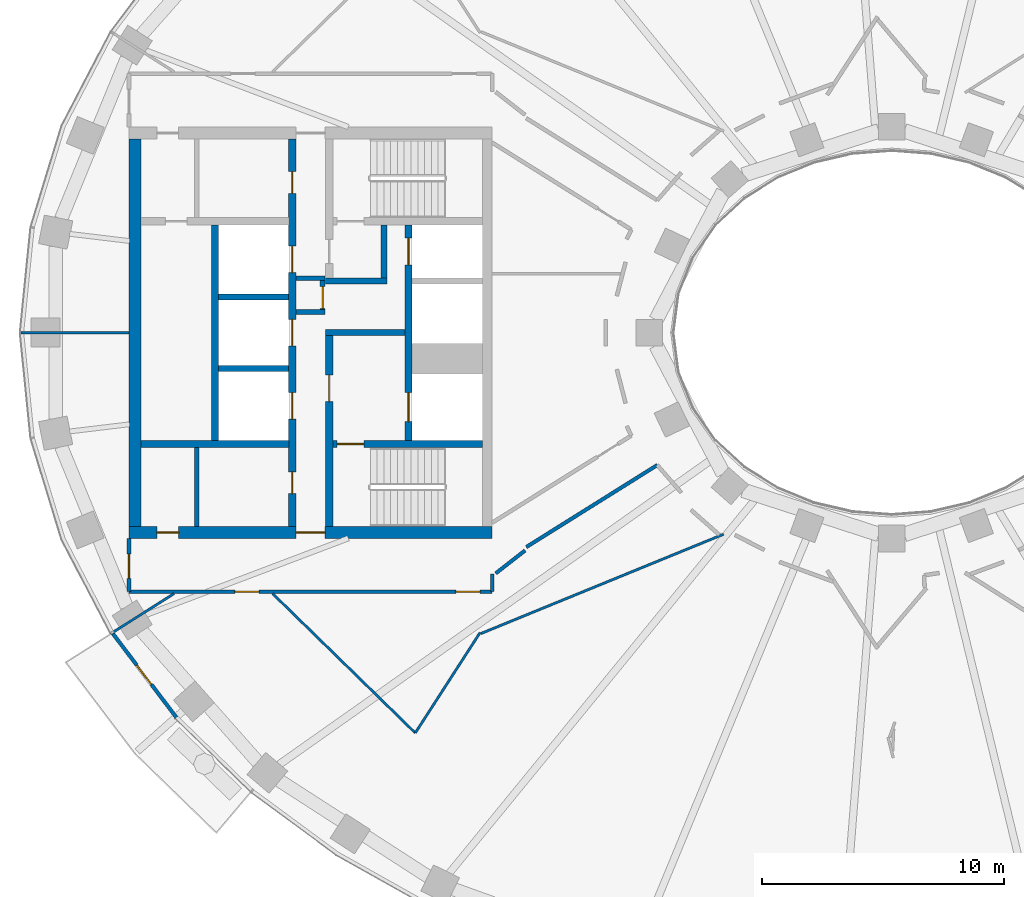
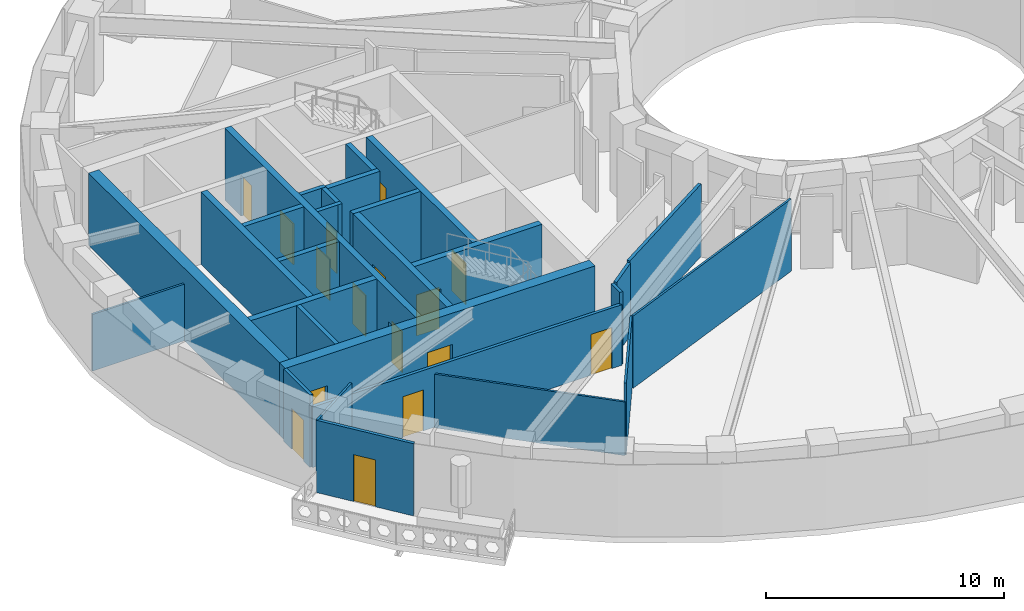
# One storey, part 3 of 16: 28 walls, 16 doors, 16 openings.
"""IFC4 building model written with IfcOpenShell, lengths in metres."""

from ifc_helpers import new_model, si_unit, direction, frame, frame_2d, origin, place, context, subcontext, project, spatial, rectangle, extrude, material, layer, layer_set, type_object, element, fill, save


model = new_model("IFC4")

# Units and contexts
model_context = context("Model", 3, precision=1e-05, world=origin(), true_north=direction((0.0, 1.0)))
body_context = subcontext(model_context, "Body", "Model", "MODEL_VIEW")
ifc_project = project(units=[si_unit("LENGTHUNIT", "METRE"), si_unit("AREAUNIT", "SQUARE_METRE"), si_unit("VOLUMEUNIT", "CUBIC_METRE"), si_unit("PLANEANGLEUNIT", "RADIAN"), si_unit("MASSUNIT", "GRAM", prefix="KILO")], contexts=[model_context])

# Site, building, storey
site_placement = place(None, origin())
site = spatial("IfcSite", under=ifc_project, at=site_placement, CompositionType="ELEMENT")
building_placement = place(site_placement, origin())
building = spatial("IfcBuilding", under=site, at=building_placement, Name="Noorbagh Ring Tower", CompositionType="ELEMENT")
storey_placement = place(building_placement, frame((0.0, 0.0, 162.0)))
storey = spatial("IfcBuildingStorey", under=building, at=storey_placement, Name="L37", CompositionType="ELEMENT", Elevation=162.0)

# Walls
ifc_material_1 = material(Name="Gypsum board on steel studs", Category="steel")
ifc_layer_1 = layer(ifc_material_1, 0.199951171875)
ifc_layer_set_1 = layer_set([ifc_layer_1], Name="Gypsum board on steel studs")
wall_type_1 = type_object("IfcWallType", Name="CORE-PARTITION-200", PredefinedType="PARTITIONING", material=ifc_layer_set_1)
for number, where, z_axis, x_axis, name in (
    (1, (-23.39990234375, 0.85009765625, 0.0), (0.0, 0.0, 1.0), (-1.0, 0.0, 0.0), "Core partition W"),
    (2, (-23.39990234375, 2.25, 0.0), (0.0, 0.0, 1.0), (-1.0, 0.0, 0.0), "Core partition W"),
):
    element("IfcWall", number, at=place(storey_placement, frame(where, z_axis=z_axis, x_axis=x_axis)), inside=storey, type_object=wall_type_1, Name=name, PredefinedType="PARTITIONING", context=body_context, shape_type="SweptSolid", body=[
        extrude(rectangle(XDim=1.2001953125, YDim=0.199951171875, at=frame_2d((0.60009765625, 0.0))), origin(), (0.0, 0.0, 1.0), 3.699951171875),
    ])

# Wall, opening, door
wall_1_placement = place(storey_placement, frame((-23.5, 0.75, 0.0), z_axis=(0.0, 0.0, 1.0), x_axis=(0.0, 1.0, 0.0)))
wall_1 = element("IfcWall", 3, at=wall_1_placement, inside=storey, type_object=wall_type_1, Name="Core partition W", PredefinedType="PARTITIONING", context=body_context, shape_type="SweptSolid", body=[
    extrude(rectangle(XDim=1.60009765625, YDim=0.199951171875, at=frame_2d((0.800048828125, 0.0))), origin(), (0.0, 0.0, 1.0), 3.699951171875),
])
opening_1_placement = place(wall_1_placement, frame((0.25, 0.0, 0.0)))
opening_1 = element("IfcOpeningElement", 4, at=opening_1_placement, cuts=wall_1, Name="Opening L37-CW16", PredefinedType="OPENING", context=body_context, shape_type="SweptSolid", body=[
    extrude(rectangle(XDim=0.89990234375, YDim=2.10009765625, at=frame_2d((0.449951171875, 1.050048828125))), frame((0.0, 0.10986328125, 0.0), z_axis=(0.0, -1.0, 0.0), x_axis=(1.0, 0.0, 0.0)), (0.0, 0.0, 1.0), 0.219970703125),
])
ifc_material_2 = material(Name="Steel door leaf", Category="steel")
door_type_1 = type_object("IfcDoorType", Name="CORE-DOOR-DROOM", OperationType="SINGLE_SWING_LEFT", PredefinedType="DOOR", material=ifc_material_2)
door_1_placement = place(opening_1_placement, origin())
door_1 = element("IfcDoor", 5, at=door_1_placement, inside=storey, type_object=door_type_1, Name="Core room door L37-CW16", OperationType="SINGLE_SWING_RIGHT", OverallHeight=2.10009765625, OverallWidth=0.89990234375, PredefinedType="DOOR", context=body_context, shape_type="SweptSolid", body=[
    extrude(rectangle(XDim=0.89990234375, YDim=2.10009765625, at=frame_2d((0.449951171875, 1.050048828125))), frame((0.0, 0.02490234375, 0.0), z_axis=(0.0, -1.0, 0.0), x_axis=(1.0, 0.0, 0.0)), (0.0, 0.0, 1.0), 0.050048828125),
])
fill(opening_1, door_1)

# Walls
wall_2_placement = place(storey_placement, frame((-28.699951171875, -8.0, 0.0), z_axis=(0.0, 0.0, 1.0), x_axis=(0.0, 1.0, 0.0)))
element("IfcWall", 6, at=wall_2_placement, inside=storey, type_object=wall_type_1, Name="Core partition W", PredefinedType="PARTITIONING", context=body_context, shape_type="SweptSolid", body=[
    extrude(rectangle(XDim=3.25, YDim=0.199951171875, at=frame_2d((1.625, 0.0))), origin(), (0.0, 0.0, 1.0), 3.699951171875),
])
ifc_material_3 = material(Name="Concrete C60/75", Category="concrete")
ifc_layer_2 = layer(ifc_material_3, 0.25)
ifc_layer_set_2 = layer_set([ifc_layer_2], Name="Concrete C60/75")
wall_type_2 = type_object("IfcWallType", Name="CORE-WALL-250-C60-75-EI120", PredefinedType="SHEAR", material=ifc_layer_set_2)
for number, where, z_axis, x_axis, name in (
    (7, (-24.89990234375, -1.47509765625, 0.0), (0.0, 0.0, 1.0), (-1.0, 0.0, 0.0), "Core wall W"),
    (8, (-24.89990234375, 1.47509765625, 0.0), (0.0, 0.0, 1.0), (-1.0, 0.0, 0.0), "Core wall W"),
):
    element("IfcWall", number, at=place(storey_placement, frame(where, z_axis=z_axis, x_axis=x_axis)), inside=storey, type_object=wall_type_2, Name=name, PredefinedType="SHEAR", context=body_context, shape_type="SweptSolid", body=[
        extrude(rectangle(XDim=2.900146484375, YDim=0.25, at=frame_2d((1.4501953125, 0.0))), origin(), (0.0, 0.0, 1.0), 3.699951171875),
    ])
ifc_material_4 = material(Name="Concrete C60/75", Category="concrete")
ifc_layer_3 = layer(ifc_material_4, 0.25)
ifc_layer_set_3 = layer_set([ifc_layer_3], Name="Concrete C60/75")
wall_type_3 = type_object("IfcWallType", Name="CORE-WALL-250-C60-75-EI240", PredefinedType="SHEAR", material=ifc_layer_set_3)
wall_3_placement = place(storey_placement, frame((-20.10009765625, 0.0, 0.0), z_axis=(0.0, 0.0, 1.0), x_axis=(-1.0, 0.0, 0.0)))
element("IfcWall", 9, at=wall_3_placement, inside=storey, type_object=wall_type_3, Name="Core wall W", PredefinedType="SHEAR", context=body_context, shape_type="SweptSolid", body=[
    extrude(rectangle(XDim=3.27978515625, YDim=0.25, at=frame_2d((1.639892578125, 0.0))), origin(), (0.0, 0.0, 1.0), 3.699951171875),
])
wall_4_placement = place(storey_placement, frame((-20.85009765625, 2.125, 0.0), z_axis=(0.0, 0.0, 1.0), x_axis=(-1.0, 0.0, 0.0)))
element("IfcWall", 10, at=wall_4_placement, inside=storey, type_object=wall_type_3, Name="Core wall W", PredefinedType="SHEAR", context=body_context, shape_type="SweptSolid", body=[
    extrude(rectangle(XDim=2.52978515625, YDim=0.25, at=frame_2d((1.264892578125, 0.0))), origin(), (0.0, 0.0, 1.0), 3.699951171875),
])
wall_5_placement = place(storey_placement, frame((-20.97509765625, 2.25, 0.0), z_axis=(0.0, 0.0, 1.0), x_axis=(0.0, 1.0, 0.0)))
element("IfcWall", 11, at=wall_5_placement, inside=storey, type_object=wall_type_3, Name="Core wall W", PredefinedType="SHEAR", context=body_context, shape_type="SweptSolid", body=[
    extrude(rectangle(XDim=2.199951171875, YDim=0.25, at=frame_2d((1.10009765625, 0.0))), origin(), (0.0, 0.0, 1.0), 3.699951171875),
])
ifc_material_5 = material(Name="Concrete C60/75", Category="concrete")
ifc_layer_4 = layer(ifc_material_5, 0.300048828125)
ifc_layer_set_4 = layer_set([ifc_layer_4], Name="Concrete C60/75")
wall_type_4 = type_object("IfcWallType", Name="CORE-WALL-300-C60-75-EI120", PredefinedType="SHEAR", material=ifc_layer_set_4)
wall_6_placement = place(storey_placement, frame((-27.949951171875, -4.449951171875, 0.0), z_axis=(0.0, 0.0, 1.0), x_axis=(0.0, 1.0, 0.0)))
element("IfcWall", 12, at=wall_6_placement, inside=storey, type_object=wall_type_4, Name="Core wall W", PredefinedType="SHEAR", context=body_context, shape_type="SweptSolid", body=[
    extrude(rectangle(XDim=8.89990234375, YDim=0.300048828125, at=frame_2d((4.449951171875, 0.0))), origin(), (0.0, 0.0, 1.0), 3.699951171875),
])

# Wall, openings, doors
wall_7_placement = place(storey_placement, frame((-19.949951171875, -4.449951171875, 0.0), z_axis=(0.0, 0.0, 1.0), x_axis=(0.0, 1.0, 0.0)))
wall_7 = element("IfcWall", 13, at=wall_7_placement, inside=storey, type_object=wall_type_4, Name="Core wall W", PredefinedType="SHEAR", context=body_context, shape_type="SweptSolid", body=[
    extrude(rectangle(XDim=8.89990234375, YDim=0.300048828125, at=frame_2d((4.449951171875, 0.0))), origin(), (0.0, 0.0, 1.0), 3.699951171875),
])
opening_2_placement = place(wall_7_placement, frame((0.77490234375, 0.0, 0.0)))
opening_2 = element("IfcOpeningElement", 14, at=opening_2_placement, cuts=wall_7, Name="Opening L37-CW01", PredefinedType="OPENING", context=body_context, shape_type="SweptSolid", body=[
    extrude(rectangle(XDim=1.199951171875, YDim=2.10009765625, at=frame_2d((0.60009765625, 1.050048828125))), frame((0.0, 0.16015625, 0.0), z_axis=(0.0, -1.0, 0.0), x_axis=(1.0, 0.0, 0.0)), (0.0, 0.0, 1.0), 0.320068359375),
])
opening_3_placement = place(wall_7_placement, frame((7.25, 0.0, 0.0)))
opening_3 = element("IfcOpeningElement", 15, at=opening_3_placement, cuts=wall_7, Name="Opening L37-CW02", PredefinedType="OPENING", context=body_context, shape_type="SweptSolid", body=[
    extrude(rectangle(XDim=1.10009765625, YDim=2.10009765625, at=frame_2d((0.550048828125, 1.050048828125))), frame((0.0, 0.16015625, 0.0), z_axis=(0.0, -1.0, 0.0), x_axis=(1.0, 0.0, 0.0)), (0.0, 0.0, 1.0), 0.320068359375),
])
ifc_material_6 = material(Name="Steel door leaf", Category="steel")
door_type_2 = type_object("IfcDoorType", Name="CORE-DOOR-LD", OperationType="DOUBLE_DOOR_SLIDING", PredefinedType="DOOR", material=ifc_material_6)
door_2_placement = place(opening_3_placement, origin())
door_2 = element("IfcDoor", 16, at=door_2_placement, inside=storey, type_object=door_type_2, Name="Landing door HR1 L37-CW02", OperationType="DOUBLE_DOOR_SLIDING", OverallHeight=2.10009765625, OverallWidth=1.10009765625, PredefinedType="DOOR", context=body_context, shape_type="SweptSolid", body=[
    extrude(rectangle(XDim=1.10009765625, YDim=2.10009765625, at=frame_2d((0.550048828125, 1.050048828125))), frame((0.0, 0.02490234375, 0.0), z_axis=(0.0, -1.0, 0.0), x_axis=(1.0, 0.0, 0.0)), (0.0, 0.0, 1.0), 0.050048828125),
])
fill(opening_3, door_2)
ifc_material_7 = material(Name="Steel door leaf", Category="steel")
door_type_3 = type_object("IfcDoorType", Name="CORE-DOOR-LDW", OperationType="DOUBLE_DOOR_SLIDING", PredefinedType="DOOR", material=ifc_material_7)
door_3_placement = place(opening_2_placement, origin())
door_3 = element("IfcDoor", 17, at=door_3_placement, inside=storey, type_object=door_type_3, Name="Landing door FF1 L37-CW01", OperationType="DOUBLE_DOOR_SLIDING", OverallHeight=2.10009765625, OverallWidth=1.199951171875, PredefinedType="DOOR", context=body_context, shape_type="SweptSolid", body=[
    extrude(rectangle(XDim=1.199951171875, YDim=2.10009765625, at=frame_2d((0.60009765625, 1.050048828125))), frame((0.0, 0.02490234375, 0.0), z_axis=(0.0, -1.0, 0.0), x_axis=(1.0, 0.0, 0.0)), (0.0, 0.0, 1.0), 0.050048828125),
])
fill(opening_2, door_3)

wall_8_placement = place(storey_placement, frame((-24.75, -8.0, 0.0), z_axis=(0.0, 0.0, 1.0), x_axis=(0.0, 1.0, 0.0)))
wall_8 = element("IfcWall", 18, at=wall_8_placement, inside=storey, type_object=wall_type_4, Name="Core wall W", PredefinedType="SHEAR", context=body_context, shape_type="SweptSolid", body=[
    extrude(rectangle(XDim=16.0, YDim=0.300048828125, at=frame_2d((8.0, 0.0))), origin(), (0.0, 0.0, 1.0), 3.699951171875),
])
opening_4_placement = place(wall_8_placement, frame((4.425048828125, 0.0, 0.0)))
opening_4 = element("IfcOpeningElement", 19, at=opening_4_placement, cuts=wall_8, Name="Opening L37-CW03", PredefinedType="OPENING", context=body_context, shape_type="SweptSolid", body=[
    extrude(rectangle(XDim=1.10009765625, YDim=2.10009765625, at=frame_2d((0.550048828125, 1.050048828125))), frame((0.0, 0.16015625, 0.0), z_axis=(0.0, -1.0, 0.0), x_axis=(1.0, 0.0, 0.0)), (0.0, 0.0, 1.0), 0.320068359375),
])
opening_5_placement = place(wall_8_placement, frame((7.449951171875, 0.0, 0.0)))
opening_5 = element("IfcOpeningElement", 20, at=opening_5_placement, cuts=wall_8, Name="Opening L37-CW04", PredefinedType="OPENING", context=body_context, shape_type="SweptSolid", body=[
    extrude(rectangle(XDim=1.10009765625, YDim=2.10009765625, at=frame_2d((0.550048828125, 1.050048828125))), frame((0.0, 0.16015625, 0.0), z_axis=(0.0, -1.0, 0.0), x_axis=(1.0, 0.0, 0.0)), (0.0, 0.0, 1.0), 0.320068359375),
])
opening_6_placement = place(wall_8_placement, frame((10.47509765625, 0.0, 0.0)))
opening_6 = element("IfcOpeningElement", 21, at=opening_6_placement, cuts=wall_8, Name="Opening L37-CW05", PredefinedType="OPENING", context=body_context, shape_type="SweptSolid", body=[
    extrude(rectangle(XDim=1.10009765625, YDim=2.10009765625, at=frame_2d((0.550048828125, 1.050048828125))), frame((0.0, 0.16015625, 0.0), z_axis=(0.0, -1.0, 0.0), x_axis=(1.0, 0.0, 0.0)), (0.0, 0.0, 1.0), 0.320068359375),
])
opening_7_placement = place(wall_8_placement, frame((13.75, 0.0, 0.0)))
opening_7 = element("IfcOpeningElement", 22, at=opening_7_placement, cuts=wall_8, Name="Opening L37-CW12", PredefinedType="OPENING", context=body_context, shape_type="SweptSolid", body=[
    extrude(rectangle(XDim=0.89990234375, YDim=2.10009765625, at=frame_2d((0.449951171875, 1.050048828125))), frame((0.0, 0.16015625, 0.0), z_axis=(0.0, -1.0, 0.0), x_axis=(1.0, 0.0, 0.0)), (0.0, 0.0, 1.0), 0.320068359375),
])
opening_8_placement = place(wall_8_placement, frame((1.35009765625, 0.0, 0.0)))
opening_8 = element("IfcOpeningElement", 23, at=opening_8_placement, cuts=wall_8, Name="Opening L37-CW14", PredefinedType="OPENING", context=body_context, shape_type="SweptSolid", body=[
    extrude(rectangle(XDim=0.89990234375, YDim=2.10009765625, at=frame_2d((0.449951171875, 1.050048828125))), frame((0.0, 0.16015625, 0.0), z_axis=(0.0, -1.0, 0.0), x_axis=(1.0, 0.0, 0.0)), (0.0, 0.0, 1.0), 0.320068359375),
])
door_4_placement = place(opening_7_placement, origin())
door_4 = element("IfcDoor", 24, at=door_4_placement, inside=storey, type_object=door_type_1, Name="Core room door L37-CW12", OperationType="SINGLE_SWING_RIGHT", OverallHeight=2.10009765625, OverallWidth=0.89990234375, PredefinedType="DOOR", context=body_context, shape_type="SweptSolid", body=[
    extrude(rectangle(XDim=0.89990234375, YDim=2.10009765625, at=frame_2d((0.449951171875, 1.050048828125))), frame((0.0, 0.02490234375, 0.0), z_axis=(0.0, -1.0, 0.0), x_axis=(1.0, 0.0, 0.0)), (0.0, 0.0, 1.0), 0.050048828125),
])
fill(opening_7, door_4)
door_5_placement = place(opening_8_placement, origin())
door_5 = element("IfcDoor", 25, at=door_5_placement, inside=storey, type_object=door_type_1, Name="Core room door L37-CW14", OperationType="SINGLE_SWING_LEFT", OverallHeight=2.10009765625, OverallWidth=0.89990234375, PredefinedType="DOOR", context=body_context, shape_type="SweptSolid", body=[
    extrude(rectangle(XDim=0.89990234375, YDim=2.10009765625, at=frame_2d((0.449951171875, 1.050048828125))), frame((0.0, 0.02490234375, 0.0), z_axis=(0.0, -1.0, 0.0), x_axis=(1.0, 0.0, 0.0)), (0.0, 0.0, 1.0), 0.050048828125),
])
fill(opening_8, door_5)
door_6_placement = place(opening_4_placement, origin())
door_6 = element("IfcDoor", 26, at=door_6_placement, inside=storey, type_object=door_type_2, Name="Landing door HR2 L37-CW03", OperationType="DOUBLE_DOOR_SLIDING", OverallHeight=2.10009765625, OverallWidth=1.10009765625, PredefinedType="DOOR", context=body_context, shape_type="SweptSolid", body=[
    extrude(rectangle(XDim=1.10009765625, YDim=2.10009765625, at=frame_2d((0.550048828125, 1.050048828125))), frame((0.0, 0.02490234375, 0.0), z_axis=(0.0, -1.0, 0.0), x_axis=(1.0, 0.0, 0.0)), (0.0, 0.0, 1.0), 0.050048828125),
])
fill(opening_4, door_6)
door_7_placement = place(opening_5_placement, origin())
door_7 = element("IfcDoor", 27, at=door_7_placement, inside=storey, type_object=door_type_2, Name="Landing door HR3 L37-CW04", OperationType="DOUBLE_DOOR_SLIDING", OverallHeight=2.10009765625, OverallWidth=1.10009765625, PredefinedType="DOOR", context=body_context, shape_type="SweptSolid", body=[
    extrude(rectangle(XDim=1.10009765625, YDim=2.10009765625, at=frame_2d((0.550048828125, 1.050048828125))), frame((0.0, 0.02490234375, 0.0), z_axis=(0.0, -1.0, 0.0), x_axis=(1.0, 0.0, 0.0)), (0.0, 0.0, 1.0), 0.050048828125),
])
fill(opening_5, door_7)
door_8_placement = place(opening_6_placement, origin())
door_8 = element("IfcDoor", 28, at=door_8_placement, inside=storey, type_object=door_type_2, Name="Landing door HR4 L37-CW05", OperationType="DOUBLE_DOOR_SLIDING", OverallHeight=2.10009765625, OverallWidth=1.10009765625, PredefinedType="DOOR", context=body_context, shape_type="SweptSolid", body=[
    extrude(rectangle(XDim=1.10009765625, YDim=2.10009765625, at=frame_2d((0.550048828125, 1.050048828125))), frame((0.0, 0.02490234375, 0.0), z_axis=(0.0, -1.0, 0.0), x_axis=(1.0, 0.0, 0.0)), (0.0, 0.0, 1.0), 0.050048828125),
])
fill(opening_6, door_8)

# Wall
ifc_material_8 = material(Name="Concrete C60/75", Category="concrete")
ifc_layer_5 = layer(ifc_material_8, 0.300048828125)
ifc_layer_set_5 = layer_set([ifc_layer_5], Name="Concrete C60/75")
wall_type_5 = type_object("IfcWallType", Name="CORE-WALL-300-C60-75-EI240", PredefinedType="SHEAR", material=ifc_layer_set_5)
wall_9_placement = place(storey_placement, frame((-24.89990234375, -4.60009765625, 0.0), z_axis=(0.0, 0.0, 1.0), x_axis=(-1.0, 0.0, 0.0)))
element("IfcWall", 29, at=wall_9_placement, inside=storey, type_object=wall_type_5, Name="Core wall W", PredefinedType="SHEAR", context=body_context, shape_type="SweptSolid", body=[
    extrude(rectangle(XDim=6.10009765625, YDim=0.300048828125, at=frame_2d((3.050048828125, 0.0))), origin(), (0.0, 0.0, 1.0), 3.699951171875),
])

# Wall, opening, door
wall_10_placement = place(storey_placement, frame((-23.22998046875, -8.0, 0.0), z_axis=(0.0, 0.0, 1.0), x_axis=(0.0, 1.0, 0.0)))
wall_10 = element("IfcWall", 30, at=wall_10_placement, inside=storey, type_object=wall_type_5, Name="Core wall W", PredefinedType="SHEAR", context=body_context, shape_type="SweptSolid", body=[
    extrude(rectangle(XDim=7.875, YDim=0.300048828125, at=frame_2d((3.9375, 0.0))), origin(), (0.0, 0.0, 1.0), 3.699951171875),
])
opening_9_placement = place(wall_10_placement, frame((5.14990234375, 0.0, 0.0)))
opening_9 = element("IfcOpeningElement", 31, at=opening_9_placement, cuts=wall_10, Name="Opening L37-CW08", PredefinedType="OPENING", context=body_context, shape_type="SweptSolid", body=[
    extrude(rectangle(XDim=1.10009765625, YDim=2.10009765625, at=frame_2d((0.550048828125, 1.050048828125))), frame((0.0, 0.16015625, 0.0), z_axis=(0.0, -1.0, 0.0), x_axis=(1.0, 0.0, 0.0)), (0.0, 0.0, 1.0), 0.320068359375),
])
ifc_material_9 = material(Name="Steel door leaf", Category="steel")
door_type_4 = type_object("IfcDoorType", Name="CORE-DOOR-DFF", OperationType="SINGLE_SWING_LEFT", PredefinedType="DOOR", material=ifc_material_9)
door_9_placement = place(opening_9_placement, origin())
door_9 = element("IfcDoor", 32, at=door_9_placement, inside=storey, type_object=door_type_4, Name="Firefighting lobby door L37-CW08", OperationType="SINGLE_SWING_LEFT", OverallHeight=2.10009765625, OverallWidth=1.10009765625, PredefinedType="DOOR", context=body_context, shape_type="SweptSolid", body=[
    extrude(rectangle(XDim=1.10009765625, YDim=2.10009765625, at=frame_2d((0.550048828125, 1.050048828125))), frame((0.0, 0.02490234375, 0.0), z_axis=(0.0, -1.0, 0.0), x_axis=(1.0, 0.0, 0.0)), (0.0, 0.0, 1.0), 0.050048828125),
])
fill(opening_9, door_9)

wall_11_placement = place(storey_placement, frame((-16.89990234375, -4.60009765625, 0.0), z_axis=(0.0, 0.0, 1.0), x_axis=(-1.0, 0.0, 0.0)))
wall_11 = element("IfcWall", 33, at=wall_11_placement, inside=storey, type_object=wall_type_5, Name="Core wall W", PredefinedType="SHEAR", context=body_context, shape_type="SweptSolid", body=[
    extrude(rectangle(XDim=6.18017578125, YDim=0.300048828125, at=frame_2d((3.090087890625, 0.0))), origin(), (0.0, 0.0, 1.0), 3.699951171875),
])
opening_10_placement = place(wall_11_placement, frame((4.89990234375, 0.0, 0.0)))
opening_10 = element("IfcOpeningElement", 34, at=opening_10_placement, cuts=wall_11, Name="Opening L37-CW07", PredefinedType="OPENING", context=body_context, shape_type="SweptSolid", body=[
    extrude(rectangle(XDim=1.10009765625, YDim=2.10009765625, at=frame_2d((0.550048828125, 1.050048828125))), frame((0.0, 0.16015625, 0.0), z_axis=(0.0, -1.0, 0.0), x_axis=(1.0, 0.0, 0.0)), (0.0, 0.0, 1.0), 0.320068359375),
])
ifc_material_10 = material(Name="Steel door leaf", Category="steel")
door_type_5 = type_object("IfcDoorType", Name="CORE-DOOR-DSTAIR", OperationType="SINGLE_SWING_LEFT", PredefinedType="DOOR", material=ifc_material_10)
door_10_placement = place(opening_10_placement, origin())
door_10 = element("IfcDoor", 35, at=door_10_placement, inside=storey, type_object=door_type_5, Name="Stair door ST2 L37-CW07", OperationType="SINGLE_SWING_LEFT", OverallHeight=2.10009765625, OverallWidth=1.10009765625, PredefinedType="DOOR", context=body_context, shape_type="SweptSolid", body=[
    extrude(rectangle(XDim=1.10009765625, YDim=2.10009765625, at=frame_2d((0.550048828125, 1.050048828125))), frame((0.0, 0.02490234375, 0.0), z_axis=(0.0, -1.0, 0.0), x_axis=(1.0, 0.0, 0.0)), (0.0, 0.0, 1.0), 0.050048828125),
])
fill(opening_10, door_10)

# Wall, openings, doors
ifc_material_11 = material(Name="Concrete C60/75", Category="concrete")
ifc_layer_6 = layer(ifc_material_11, 0.5)
ifc_layer_set_6 = layer_set([ifc_layer_6], Name="Concrete C60/75")
wall_type_6 = type_object("IfcWallType", Name="CORE-WALL-500-C60-75-EI240", PredefinedType="SHEAR", material=ifc_layer_set_6)
wall_12_placement = place(storey_placement, frame((-16.5, -8.25, 0.0), z_axis=(0.0, 0.0, 1.0), x_axis=(-1.0, 0.0, 0.0)))
wall_12 = element("IfcWall", 36, at=wall_12_placement, inside=storey, type_object=wall_type_6, Name="Core wall W", PredefinedType="SHEAR", context=body_context, shape_type="SweptSolid", body=[
    extrude(rectangle(XDim=15.0, YDim=0.5, at=frame_2d((7.5, 0.0))), origin(), (0.0, 0.0, 1.0), 3.699951171875),
])
opening_11_placement = place(wall_12_placement, frame((6.89990234375, 0.0, 0.0)))
opening_11 = element("IfcOpeningElement", 37, at=opening_11_placement, cuts=wall_12, Name="Opening L37-CW11", PredefinedType="OPENING", context=body_context, shape_type="SweptSolid", body=[
    extrude(rectangle(XDim=1.199951171875, YDim=2.10009765625, at=frame_2d((0.60009765625, 1.050048828125))), frame((0.0, 0.260009765625, 0.0), z_axis=(0.0, -1.0, 0.0), x_axis=(1.0, 0.0, 0.0)), (0.0, 0.0, 1.0), 0.52001953125),
])
opening_12_placement = place(wall_12_placement, frame((12.949951171875, 0.0, 0.0)))
opening_12 = element("IfcOpeningElement", 38, at=opening_12_placement, cuts=wall_12, Name="Opening L37-CW15", PredefinedType="OPENING", context=body_context, shape_type="SweptSolid", body=[
    extrude(rectangle(XDim=0.89990234375, YDim=2.10009765625, at=frame_2d((0.449951171875, 1.050048828125))), frame((0.0, 0.260009765625, 0.0), z_axis=(0.0, -1.0, 0.0), x_axis=(1.0, 0.0, 0.0)), (0.0, 0.0, 1.0), 0.52001953125),
])
door_11_placement = place(opening_12_placement, origin())
door_11 = element("IfcDoor", 39, at=door_11_placement, inside=storey, type_object=door_type_1, Name="Core room door L37-CW15", OperationType="SINGLE_SWING_LEFT", OverallHeight=2.10009765625, OverallWidth=0.89990234375, PredefinedType="DOOR", context=body_context, shape_type="SweptSolid", body=[
    extrude(rectangle(XDim=0.89990234375, YDim=2.10009765625, at=frame_2d((0.449951171875, 1.050048828125))), frame((0.0, 0.02490234375, 0.0), z_axis=(0.0, -1.0, 0.0), x_axis=(1.0, 0.0, 0.0)), (0.0, 0.0, 1.0), 0.050048828125),
])
fill(opening_12, door_11)
ifc_material_12 = material(Name="Steel door leaf", Category="steel")
door_type_6 = type_object("IfcDoorType", Name="CORE-DOOR-PORT", OperationType="DOUBLE_DOOR_DOUBLE_SWING", PredefinedType="DOOR", material=ifc_material_12)
door_12_placement = place(opening_11_placement, origin())
door_12 = element("IfcDoor", 40, at=door_12_placement, inside=storey, type_object=door_type_6, Name="Core entrance door L37-CW11", OperationType="DOUBLE_DOOR_DOUBLE_SWING", OverallHeight=2.10009765625, OverallWidth=1.199951171875, PredefinedType="DOOR", context=body_context, shape_type="SweptSolid", body=[
    extrude(rectangle(XDim=1.199951171875, YDim=2.10009765625, at=frame_2d((0.60009765625, 1.050048828125))), frame((0.0, 0.02490234375, 0.0), z_axis=(0.0, -1.0, 0.0), x_axis=(1.0, 0.0, 0.0)), (0.0, 0.0, 1.0), 0.050048828125),
])
fill(opening_11, door_12)

# Wall
wall_13_placement = place(storey_placement, frame((-31.25, -8.0, 0.0), z_axis=(0.0, 0.0, 1.0), x_axis=(0.0, 1.0, 0.0)))
element("IfcWall", 41, at=wall_13_placement, inside=storey, type_object=wall_type_6, Name="Core wall W", PredefinedType="SHEAR", context=body_context, shape_type="SweptSolid", body=[
    extrude(rectangle(XDim=16.0, YDim=0.5, at=frame_2d((8.0, 0.0))), origin(), (0.0, 0.0, 1.0), 3.699951171875),
])

# Wall, opening, door
ifc_material_13 = material(Name="Gypsum board on steel studs", Category="steel")
ifc_layer_7 = layer(ifc_material_13, 0.14990234375)
ifc_layer_set_7 = layer_set([ifc_layer_7], Name="Gypsum board on steel studs")
wall_type_7 = type_object("IfcWallType", Name="CORRIDOR PARTITION 150 EI 30", PredefinedType="PARTITIONING", material=ifc_layer_set_7)
wall_14_placement = place(storey_placement, frame((-31.5, -10.699951171875, 0.0), z_axis=(0.0, 0.0, 1.0), x_axis=(0.0, 1.0, 0.0)))
wall_14 = element("IfcWall", 42, at=wall_14_placement, inside=storey, type_object=wall_type_7, Name="L37/wall/P04", PredefinedType="PARTITIONING", context=body_context, shape_type="SweptSolid", body=[
    extrude(rectangle(XDim=2.199951171875, YDim=0.14990234375, at=frame_2d((1.10009765625, 0.0))), origin(), (0.0, 0.0, 1.0), 3.699951171875),
])
opening_13_placement = place(wall_14_placement, frame((0.550048828125, 0.0, 0.0)))
opening_13 = element("IfcOpeningElement", 43, at=opening_13_placement, cuts=wall_14, Name="Opening D1", PredefinedType="OPENING", context=body_context, shape_type="SweptSolid", body=[
    extrude(rectangle(XDim=1.0, YDim=2.10009765625, at=frame_2d((0.5, 1.050048828125))), frame((0.0, 0.0849609375, 0.0), z_axis=(0.0, -1.0, 0.0), x_axis=(1.0, 0.0, 0.0)), (0.0, 0.0, 1.0), 0.169921875),
])
ifc_material_14 = material(Name="Timber, painted", Category="wood")
door_type_7 = type_object("IfcDoorType", Name="DOOR 1000 X 2100 FD30", OperationType="SINGLE_SWING_LEFT", PredefinedType="DOOR", material=ifc_material_14)
door_13_placement = place(opening_13_placement, origin())
door_13 = element("IfcDoor", 44, at=door_13_placement, inside=storey, type_object=door_type_7, Name="L37-D06", OperationType="SINGLE_SWING_RIGHT", OverallHeight=2.10009765625, OverallWidth=1.0, PredefinedType="DOOR", context=body_context, shape_type="SweptSolid", body=[
    extrude(rectangle(XDim=1.0, YDim=2.10009765625, at=frame_2d((0.5, 1.050048828125))), frame((0.0, 0.02490234375, 0.0), z_axis=(0.0, -1.0, 0.0), x_axis=(1.0, 0.0, 0.0)), (0.0, 0.0, 1.0), 0.050048828125),
])
fill(opening_13, door_13)

# Wall, openings, doors
wall_15_placement = place(storey_placement, frame((-31.5, -10.699951171875, 0.0), z_axis=(0.0, 0.0, 1.0), x_axis=(1.0, 0.0, 0.0)))
wall_15 = element("IfcWall", 45, at=wall_15_placement, inside=storey, type_object=wall_type_7, Name="L37/wall/P05", PredefinedType="PARTITIONING", context=body_context, shape_type="SweptSolid", body=[
    extrude(rectangle(XDim=15.0, YDim=0.14990234375, at=frame_2d((7.5, 0.0))), origin(), (0.0, 0.0, 1.0), 3.10009765625),
])
opening_14_placement = place(wall_15_placement, frame((4.37890625, 0.0, 0.0)))
opening_14 = element("IfcOpeningElement", 46, at=opening_14_placement, cuts=wall_15, Name="Opening D1", PredefinedType="OPENING", context=body_context, shape_type="SweptSolid", body=[
    extrude(rectangle(XDim=1.0, YDim=2.10009765625, at=frame_2d((0.5, 1.050048828125))), frame((0.0, 0.0849609375, 0.0), z_axis=(0.0, -1.0, 0.0), x_axis=(1.0, 0.0, 0.0)), (0.0, 0.0, 1.0), 0.169921875),
])
opening_15_placement = place(wall_15_placement, frame((13.50390625, 0.0, 0.0)))
opening_15 = element("IfcOpeningElement", 47, at=opening_15_placement, cuts=wall_15, Name="Opening D1", PredefinedType="OPENING", context=body_context, shape_type="SweptSolid", body=[
    extrude(rectangle(XDim=1.0, YDim=2.10009765625, at=frame_2d((0.5, 1.050048828125))), frame((0.0, 0.0849609375, 0.0), z_axis=(0.0, -1.0, 0.0), x_axis=(1.0, 0.0, 0.0)), (0.0, 0.0, 1.0), 0.169921875),
])
door_14_placement = place(opening_14_placement, origin())
door_14 = element("IfcDoor", 48, at=door_14_placement, inside=storey, type_object=door_type_7, Name="L37-D08", OperationType="SINGLE_SWING_RIGHT", OverallHeight=2.10009765625, OverallWidth=1.0, PredefinedType="DOOR", context=body_context, shape_type="SweptSolid", body=[
    extrude(rectangle(XDim=1.0, YDim=2.10009765625, at=frame_2d((0.5, 1.050048828125))), frame((0.0, 0.02490234375, 0.0), z_axis=(0.0, -1.0, 0.0), x_axis=(1.0, 0.0, 0.0)), (0.0, 0.0, 1.0), 0.050048828125),
])
fill(opening_14, door_14)
door_15_placement = place(opening_15_placement, origin())
door_15 = element("IfcDoor", 49, at=door_15_placement, inside=storey, type_object=door_type_7, Name="L37-D10", OperationType="SINGLE_SWING_RIGHT", OverallHeight=2.10009765625, OverallWidth=1.0, PredefinedType="DOOR", context=body_context, shape_type="SweptSolid", body=[
    extrude(rectangle(XDim=1.0, YDim=2.10009765625, at=frame_2d((0.5, 1.050048828125))), frame((0.0, 0.02490234375, 0.0), z_axis=(0.0, -1.0, 0.0), x_axis=(1.0, 0.0, 0.0)), (0.0, 0.0, 1.0), 0.050048828125),
])
fill(opening_15, door_15)

# Walls
wall_16_placement = place(storey_placement, frame((-16.5, -10.699951171875, 0.0), z_axis=(0.0, 0.0, 1.0), x_axis=(0.0, 1.0, 0.0)))
element("IfcWall", 50, at=wall_16_placement, inside=storey, type_object=wall_type_7, Name="L37/wall/P14", PredefinedType="PARTITIONING", context=body_context, shape_type="SweptSolid", body=[
    extrude(rectangle(XDim=0.73583984375, YDim=0.14990234375, at=frame_2d((0.367919921875, 0.0))), origin(), (0.0, 0.0, 1.0), 3.699951171875),
])
wall_17_placement = place(storey_placement, frame((-15.089111328125, -8.85595703125, 0.0), z_axis=(0.0, 0.0, 1.0), x_axis=(0.847602682855, 0.530631408811, 0.0)))
element("IfcWall", 51, at=wall_17_placement, inside=storey, type_object=wall_type_7, Name="L37/wall/P19", PredefinedType="PARTITIONING", context=body_context, shape_type="SweptSolid", body=[
    extrude(rectangle(XDim=6.3828125, YDim=0.14990234375, at=frame_2d((3.19140625, 0.0))), origin(), (0.0, 0.0, 1.0), 3.699951171875),
])
wall_18_placement = place(storey_placement, frame((-15.138916015625, -8.9970703125, 0.0), z_axis=(0.0, 0.0, 1.0), x_axis=(-0.788950226826, -0.614457109643, 0.0)))
element("IfcWall", 52, at=wall_18_placement, inside=storey, type_object=wall_type_7, Name="L37/wall/P91", PredefinedType="PARTITIONING", context=body_context, shape_type="SweptSolid", body=[
    extrude(rectangle(XDim=1.53759765625, YDim=0.14990234375, at=frame_2d((0.768798828125, 0.0))), origin(), (0.0, 0.0, 1.0), 3.699951171875),
])

# Wall, opening, door
ifc_material_15 = material(Name="Insulated aluminium clad panel", Category="aluminium")
ifc_layer_8 = layer(ifc_material_15, 0.14990234375)
ifc_layer_set_8 = layer_set([ifc_layer_8], Name="Insulated aluminium clad panel")
wall_type_8 = type_object("IfcWallType", Name="ENV-WALL-DOOR", PredefinedType="STANDARD", material=ifc_layer_set_8)
wall_19_placement = place(storey_placement, frame((-32.20751953125, -12.37353515625, 0.0), z_axis=(0.0, 0.0, 1.0), x_axis=(0.604045763106, -0.796949632081, 0.0)))
wall_19 = element("IfcWall", 53, at=wall_19_placement, inside=storey, type_object=wall_type_8, Name="Balcony door wall chord 27", PredefinedType="STANDARD", context=body_context, shape_type="SweptSolid", body=[
    extrude(rectangle(XDim=4.42333984375, YDim=0.14990234375, at=frame_2d((2.211669921875, 0.0))), origin(), (0.0, 0.0, 1.0), 3.699951171875),
])
opening_16_placement = place(wall_19_placement, frame((1.711669921875, 0.0, 0.0)))
opening_16 = element("IfcOpeningElement", 54, at=opening_16_placement, cuts=wall_19, Name="Opening D-BL", PredefinedType="OPENING", context=body_context, shape_type="SweptSolid", body=[
    extrude(rectangle(XDim=1.0, YDim=2.39990234375, at=frame_2d((0.5, 1.199951171875))), frame((0.0, 0.0849609375, 0.0), z_axis=(0.0, -1.0, 0.0), x_axis=(1.0, 0.0, 0.0)), (0.0, 0.0, 1.0), 0.169921875),
])
ifc_material_16 = material(Name="Aluminium and glass", Category="aluminium")
door_type_8 = type_object("IfcDoorType", Name="ENV-DOOR-BALCONY", OperationType="SINGLE_SWING_LEFT", PredefinedType="DOOR", material=ifc_material_16)
door_16_placement = place(opening_16_placement, origin())
door_16 = element("IfcDoor", 55, at=door_16_placement, inside=storey, type_object=door_type_8, Name="Balcony door chord 27", OperationType="SINGLE_SWING_RIGHT", OverallHeight=2.39990234375, OverallWidth=1.0, PredefinedType="DOOR", context=body_context, shape_type="SweptSolid", body=[
    extrude(rectangle(XDim=1.0, YDim=2.39990234375, at=frame_2d((0.5, 1.199951171875))), frame((0.0, 0.02490234375, 0.0), z_axis=(0.0, -1.0, 0.0), x_axis=(1.0, 0.0, 0.0)), (0.0, 0.0, 1.0), 0.050048828125),
])
fill(opening_16, door_16)

# Walls
ifc_material_17 = material(Name="Gypsum board on steel studs", Category="steel")
ifc_layer_9 = layer(ifc_material_17, 0.10009765625)
ifc_layer_set_9 = layer_set([ifc_layer_9], Name="Gypsum board on steel studs")
wall_type_9 = type_object("IfcWallType", Name="PARTITION 100 GYPSUM", PredefinedType="PARTITIONING", material=ifc_layer_set_9)
wall_20_placement = place(storey_placement, frame((-35.948974609375, 0.0, 0.0), z_axis=(0.0, 0.0, 1.0), x_axis=(1.0, 0.0, 0.0)))
element("IfcWall", 56, at=wall_20_placement, inside=storey, type_object=wall_type_9, Name="L37/wall/P01", PredefinedType="PARTITIONING", context=body_context, shape_type="SweptSolid", body=[
    extrude(rectangle(XDim=4.448974609375, YDim=0.10009765625, at=frame_2d((2.224609375, 0.0))), origin(), (0.0, 0.0, 1.0), 2.89990234375),
])
wall_21_placement = place(storey_placement, frame((-32.2119140625, -12.407958984375, 0.0), z_axis=(0.0, 0.0, 1.0), x_axis=(0.844810627195, 0.535065420467, 0.0)))
element("IfcWall", 57, at=wall_21_placement, inside=storey, type_object=wall_type_9, Name="L37/wall/P02", PredefinedType="PARTITIONING", context=body_context, shape_type="SweptSolid", body=[
    extrude(rectangle(XDim=3.0478515625, YDim=0.10009765625, at=frame_2d((1.52392578125, 0.0))), origin(), (0.0, 0.0, 1.0), 3.699951171875),
])
wall_22_placement = place(storey_placement, frame((-25.56591796875, -10.778076171875, 0.0), z_axis=(0.0, 0.0, 1.0), x_axis=(0.715430617602, -0.698683784982, 0.0)))
element("IfcWall", 58, at=wall_22_placement, inside=storey, type_object=wall_type_9, Name="L37/wall/P08", PredefinedType="PARTITIONING", context=body_context, shape_type="SweptSolid", body=[
    extrude(rectangle(XDim=8.23681640625, YDim=0.10009765625, at=frame_2d((4.118408203125, 0.0))), origin(), (0.0, 0.0, 1.0), 2.75),
])
wall_23_placement = place(storey_placement, frame((-19.673095703125, -16.532958984375, 0.0), z_axis=(0.0, 0.0, 1.0), x_axis=(0.542297022656, 0.840186847801, 0.0)))
element("IfcWall", 59, at=wall_23_placement, inside=storey, type_object=wall_type_9, Name="L37/wall/P10", PredefinedType="PARTITIONING", context=body_context, shape_type="SweptSolid", body=[
    extrude(rectangle(XDim=4.9345703125, YDim=0.10009765625, at=frame_2d((2.46728515625, 0.0))), origin(), (0.0, 0.0, 1.0), 3.699951171875),
])
wall_24_placement = place(storey_placement, frame((-16.962890625, -12.427001953125, 0.0), z_axis=(0.0, 0.0, 1.0), x_axis=(0.925484473487, 0.378785545308, 0.0)))
element("IfcWall", 60, at=wall_24_placement, inside=storey, type_object=wall_type_9, Name="L37/wall/P12", PredefinedType="PARTITIONING", context=body_context, shape_type="SweptSolid", body=[
    extrude(rectangle(XDim=10.83203125, YDim=0.10009765625, at=frame_2d((5.416015625, 0.0))), origin(), (0.0, 0.0, 1.0), 3.699951171875),
])

save(model, "model.ifc")
